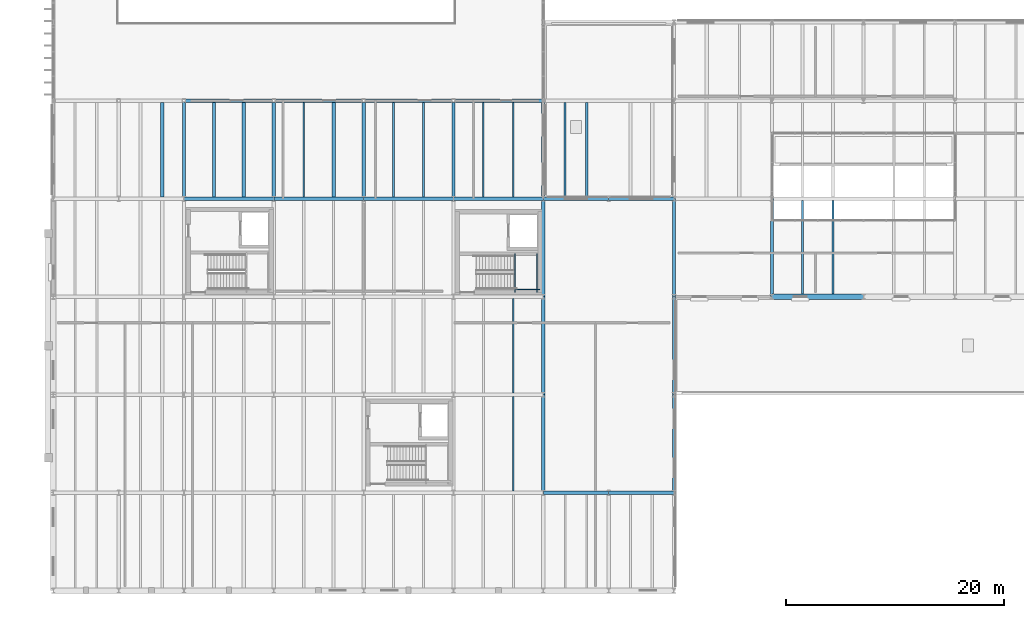
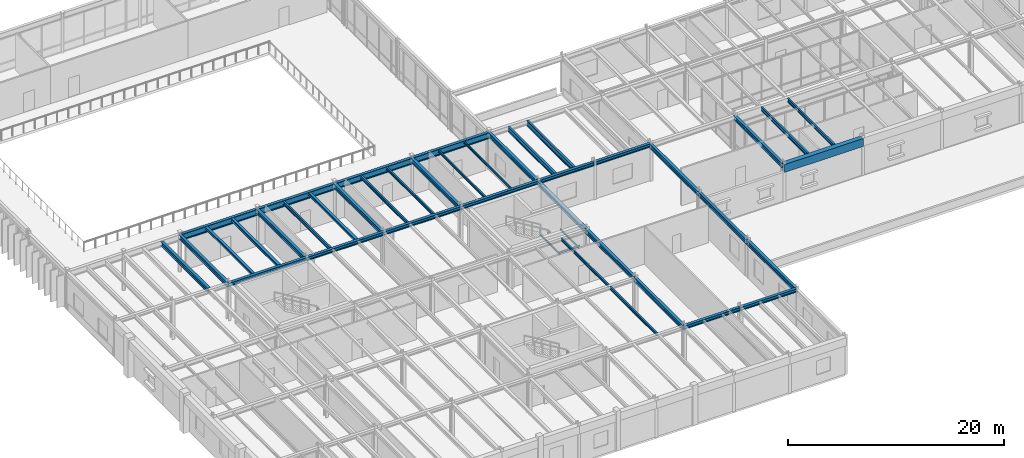
# One storey, part 21 of 64: 43 beams.
"""IFC4 building model written with IfcOpenShell, lengths in metres."""

from ifc_helpers import new_model, si_unit, direction, frame, origin, origin_2d, place, context, subcontext, project, spatial, rectangle, i_section, extrude, material, material_profile, profile_set, type_object, element, save


model = new_model("IFC4")

# Units and contexts
model_context = context("Model", 3, precision=1e-05, world=origin(), true_north=direction((0.0, 1.0)))
body_context = subcontext(model_context, "Body", "Model", "MODEL_VIEW")
ifc_project = project(units=[si_unit("LENGTHUNIT", "METRE"), si_unit("AREAUNIT", "SQUARE_METRE"), si_unit("VOLUMEUNIT", "CUBIC_METRE"), si_unit("PLANEANGLEUNIT", "RADIAN"), si_unit("MASSUNIT", "GRAM", prefix="KILO")], contexts=[model_context])

# Site, building, storey
site_placement = place(None, origin())
site = spatial("IfcSite", under=ifc_project, at=site_placement, CompositionType="ELEMENT")
building_placement = place(site_placement, origin())
building = spatial("IfcBuilding", under=site, at=building_placement, Name="Montealbar Specialist Clinic", CompositionType="ELEMENT")
storey_placement = place(building_placement, frame((0.0, 0.0, 5.10009765625)))
storey = spatial("IfcBuildingStorey", under=building, at=storey_placement, Name="L01", CompositionType="ELEMENT", Elevation=5.10009765625)

# Beams
ifc_material_1 = material(Name="Precast concrete C40/50", Category="concrete")
ifc_material_profile_1 = material_profile(ifc_material_1, rectangle(XDim=0.5, YDim=0.89990234375, at=origin_2d()), Name="PRECAST CORNICE 500x900", Category="concrete")
ifc_profile_set_1 = profile_set([ifc_material_profile_1], Name="Precast concrete C40/50")
beam_type_1 = type_object("IfcBeamType", Name="BM-CORNICE-PM900-EXT", PredefinedType="SPANDREL", material=ifc_profile_set_1)
beam_1_placement = place(storey_placement, frame((120.0, 27.0, 3.72998046875), z_axis=(1.0, 0.0, 0.0), x_axis=(0.0, 1.0, 0.0)))
element("IfcBeam", 1, at=beam_1_placement, inside=storey, type_object=beam_type_1, Name="Postmodern Entablature Cornice L01 Y=27.0 X=120.0-128.4", PredefinedType="SPANDREL", context=body_context, shape_type="SweptSolid", body=[
    extrude(rectangle(XDim=0.5, YDim=0.89990234375, at=origin_2d()), origin(), (0.0, 0.0, 1.0), 8.39990234375),
])
ifc_material_2 = material(Name="Steel S355", Category="steel")
ifc_material_profile_2 = material_profile(ifc_material_2, i_section(OverallWidth=0.300048828125, OverallDepth=0.39990234375, WebThickness=0.013427734375, FlangeThickness=0.02392578125, FilletRadius=0.027099609375, at=origin_2d()), Name="HEB 400", Category="steel")
ifc_profile_set_2 = profile_set([ifc_material_profile_2], Name="Steel S355")
beam_type_2 = type_object("IfcBeamType", Name="BM-GIRD-HEB400", PredefinedType="BEAM", material=ifc_profile_set_2)
for number, where, z_axis, x_axis, name in (
    (2, (99.0, 9.0, 3.97998046875), (1.0, 0.0, 0.0), (0.0, 1.0, 0.0), "Beam GX-L01-990-1050-90"),
    (3, (105.0, 9.0, 3.97998046875), (1.0, 0.0, 0.0), (0.0, 1.0, 0.0), "Beam GX-L01-1050-1110-90"),
):
    element("IfcBeam", number, at=place(storey_placement, frame(where, z_axis=z_axis, x_axis=x_axis)), inside=storey, type_object=beam_type_2, Name=name, PredefinedType="BEAM", context=body_context, shape_type="SweptSolid", body=[
        extrude(i_section(OverallWidth=0.300048828125, OverallDepth=0.39990234375, WebThickness=0.013427734375, FlangeThickness=0.02392578125, FilletRadius=0.027099609375, at=origin_2d()), origin(), (0.0, 0.0, 1.0), 6.0),
    ])
for number, where, z_axis, x_axis, name in (
    (4, (66.0, 36.0, 3.97998046875), (1.0, 0.0, 0.0), (0.0, 1.0, 0.0), "Beam GX-L01-660-742-360"),
    (5, (74.25, 36.0, 3.97998046875), (1.0, 0.0, 0.0), (0.0, 1.0, 0.0), "Beam GX-L01-742-825-360"),
    (6, (82.5, 36.0, 3.97998046875), (1.0, 0.0, 0.0), (0.0, 1.0, 0.0), "Beam GX-L01-825-908-360"),
    (7, (90.75, 36.0, 3.97998046875), (1.0, 0.0, 0.0), (0.0, 1.0, 0.0), "Beam GX-L01-908-990-360"),
):
    element("IfcBeam", number, at=place(storey_placement, frame(where, z_axis=z_axis, x_axis=x_axis)), inside=storey, type_object=beam_type_2, Name=name, PredefinedType="BEAM", context=body_context, shape_type="SweptSolid", body=[
        extrude(i_section(OverallWidth=0.300048828125, OverallDepth=0.39990234375, WebThickness=0.013427734375, FlangeThickness=0.02392578125, FilletRadius=0.027099609375, at=origin_2d()), origin(), (0.0, 0.0, 1.0), 8.25),
    ])
for number, where, z_axis, x_axis, name in (
    (8, (99.0, 36.0, 3.97998046875), (1.0, 0.0, 0.0), (0.0, 1.0, 0.0), "Beam GX-L01-990-1050-360"),
    (9, (105.0, 36.0, 3.97998046875), (1.0, 0.0, 0.0), (0.0, 1.0, 0.0), "Beam GX-L01-1050-1110-360"),
):
    element("IfcBeam", number, at=place(storey_placement, frame(where, z_axis=z_axis, x_axis=x_axis)), inside=storey, type_object=beam_type_2, Name=name, PredefinedType="BEAM", context=body_context, shape_type="SweptSolid", body=[
        extrude(i_section(OverallWidth=0.300048828125, OverallDepth=0.39990234375, WebThickness=0.013427734375, FlangeThickness=0.02392578125, FilletRadius=0.027099609375, at=origin_2d()), origin(), (0.0, 0.0, 1.0), 6.0),
    ])
ifc_material_profile_3 = material_profile(ifc_material_2, i_section(OverallWidth=0.300048828125, OverallDepth=0.5, WebThickness=0.014404296875, FlangeThickness=0.028076171875, FilletRadius=0.027099609375, at=origin_2d()), Name="HEB 500", Category="steel")
ifc_profile_set_3 = profile_set([ifc_material_profile_3], Name="Steel S355")
beam_type_3 = type_object("IfcBeamType", Name="BM-GIRD-HEB500", PredefinedType="BEAM", material=ifc_profile_set_3)
for number, where, z_axis, x_axis, name in (
    (10, (66.0, 36.0, 3.929931640625), (0.0, 1.0, 0.0), (-1.0, 0.0, 0.0), "Beam GY-L01-660-360-450"),
    (11, (74.25, 36.0, 3.929931640625), (0.0, 1.0, 0.0), (-1.0, 0.0, 0.0), "Beam GY-L01-742-360-450"),
    (12, (82.5, 36.0, 3.929931640625), (0.0, 1.0, 0.0), (-1.0, 0.0, 0.0), "Beam GY-L01-825-360-450"),
    (13, (90.75, 36.0, 3.929931640625), (0.0, 1.0, 0.0), (-1.0, 0.0, 0.0), "Beam GY-L01-908-360-450"),
    (14, (99.0, 9.0, 3.929931640625), (0.0, 1.0, 0.0), (-1.0, 0.0, 0.0), "Beam GY-L01-990-90-180"),
    (15, (99.0, 18.0, 3.929931640625), (0.0, 1.0, 0.0), (-1.0, 0.0, 0.0), "Beam GY-L01-990-180-270"),
    (16, (99.0, 27.0, 3.929931640625), (0.0, 1.0, 0.0), (-1.0, 0.0, 0.0), "Beam GY-L01-990-270-360"),
    (17, (99.0, 36.0, 3.929931640625), (0.0, 1.0, 0.0), (-1.0, 0.0, 0.0), "Beam GY-L01-990-360-450"),
    (18, (111.0, 9.0, 3.929931640625), (0.0, 1.0, 0.0), (-1.0, 0.0, 0.0), "Beam GY-L01-1110-90-180"),
    (19, (111.0, 18.0, 3.929931640625), (0.0, 1.0, 0.0), (-1.0, 0.0, 0.0), "Beam GY-L01-1110-180-270"),
    (20, (111.0, 27.0, 3.929931640625), (0.0, 1.0, 0.0), (-1.0, 0.0, 0.0), "Beam GY-L01-1110-270-360"),
):
    element("IfcBeam", number, at=place(storey_placement, frame(where, z_axis=z_axis, x_axis=x_axis)), inside=storey, type_object=beam_type_3, Name=name, PredefinedType="BEAM", context=body_context, shape_type="SweptSolid", body=[
        extrude(i_section(OverallWidth=0.300048828125, OverallDepth=0.5, WebThickness=0.014404296875, FlangeThickness=0.028076171875, FilletRadius=0.027099609375, at=origin_2d()), origin(), (0.0, 0.0, 1.0), 9.0),
    ])
ifc_material_profile_4 = material_profile(ifc_material_2, i_section(OverallWidth=0.300048828125, OverallDepth=0.5, WebThickness=0.014404296875, FlangeThickness=0.028076171875, FilletRadius=0.027099609375, at=origin_2d()), Name="HEB 500", Category="steel")
ifc_profile_set_4 = profile_set([ifc_material_profile_4], Name="Steel S355")
beam_type_4 = type_object("IfcBeamType", Name="BM-GIRD-HEB500-EXT", PredefinedType="BEAM", material=ifc_profile_set_4)
beam_2_placement = place(storey_placement, frame((120.0, 27.0, 3.929931640625), z_axis=(0.0, 1.0, 0.0), x_axis=(-1.0, 0.0, 0.0)))
element("IfcBeam", 21, at=beam_2_placement, inside=storey, type_object=beam_type_4, Name="Beam GY-L01-1200-270-360", PredefinedType="BEAM", context=body_context, shape_type="SweptSolid", body=[
    extrude(i_section(OverallWidth=0.300048828125, OverallDepth=0.5, WebThickness=0.014404296875, FlangeThickness=0.028076171875, FilletRadius=0.027099609375, at=origin_2d()), origin(), (0.0, 0.0, 1.0), 9.0),
])
ifc_material_profile_5 = material_profile(ifc_material_2, i_section(OverallWidth=0.300048828125, OverallDepth=0.489990234375, WebThickness=0.011962890625, FlangeThickness=0.02294921875, FilletRadius=0.027099609375, at=origin_2d()), Name="HEA 500", Category="steel")
ifc_profile_set_5 = profile_set([ifc_material_profile_5], Name="Steel S355")
beam_type_5 = type_object("IfcBeamType", Name="BM-JST-HEA500", PredefinedType="JOIST", material=ifc_profile_set_5)
beam_3_placement = place(storey_placement, frame((64.0, 36.14990234375, 3.934814453125), z_axis=(0.0, 1.0, 0.0), x_axis=(-1.0, 0.0, 0.0)))
element("IfcBeam", 22, at=beam_3_placement, inside=storey, type_object=beam_type_5, Name="Beam JST-L01-640-362-448", PredefinedType="JOIST", context=body_context, shape_type="SweptSolid", body=[
    extrude(i_section(OverallWidth=0.300048828125, OverallDepth=0.489990234375, WebThickness=0.011962890625, FlangeThickness=0.02294921875, FilletRadius=0.027099609375, at=origin_2d()), origin(), (0.0, 0.0, 1.0), 8.7001953125),
])
ifc_material_profile_6 = material_profile(ifc_material_2, i_section(OverallWidth=0.280029296875, OverallDepth=0.280029296875, WebThickness=0.010498046875, FlangeThickness=0.01806640625, FilletRadius=0.02392578125, at=origin_2d()), Name="HEB 280", Category="steel")
ifc_profile_set_6 = profile_set([ifc_material_profile_6], Name="Steel S355")
beam_type_6 = type_object("IfcBeamType", Name="BM-JST-HEB280", PredefinedType="JOIST", material=ifc_profile_set_6)
beam_4_placement = place(storey_placement, frame((68.75, 36.14990234375, 4.039794921875), z_axis=(0.0, 1.0, 0.0), x_axis=(-1.0, 0.0, 0.0)))
element("IfcBeam", 23, at=beam_4_placement, inside=storey, type_object=beam_type_6, Name="Beam JST-L01-688-362-448", PredefinedType="JOIST", context=body_context, shape_type="SweptSolid", body=[
    extrude(i_section(OverallWidth=0.280029296875, OverallDepth=0.280029296875, WebThickness=0.010498046875, FlangeThickness=0.01806640625, FilletRadius=0.02392578125, at=origin_2d()), origin(), (0.0, 0.0, 1.0), 8.7001953125),
])
ifc_material_profile_7 = material_profile(ifc_material_2, i_section(OverallWidth=0.300048828125, OverallDepth=0.320068359375, WebThickness=0.011474609375, FlangeThickness=0.0205078125, FilletRadius=0.027099609375, at=origin_2d()), Name="HEB 320", Category="steel")
ifc_profile_set_7 = profile_set([ifc_material_profile_7], Name="Steel S355")
beam_type_7 = type_object("IfcBeamType", Name="BM-JST-HEB320", PredefinedType="JOIST", material=ifc_profile_set_7)
beam_5_placement = place(storey_placement, frame((71.5, 36.14990234375, 4.02001953125), z_axis=(0.0, 1.0, 0.0), x_axis=(-1.0, 0.0, 0.0)))
element("IfcBeam", 24, at=beam_5_placement, inside=storey, type_object=beam_type_7, Name="Beam JST-L01-715-362-448", PredefinedType="JOIST", context=body_context, shape_type="SweptSolid", body=[
    extrude(i_section(OverallWidth=0.300048828125, OverallDepth=0.320068359375, WebThickness=0.011474609375, FlangeThickness=0.0205078125, FilletRadius=0.027099609375, at=origin_2d()), origin(), (0.0, 0.0, 1.0), 8.7001953125),
])
ifc_material_profile_8 = material_profile(ifc_material_2, i_section(OverallWidth=0.1201171875, OverallDepth=0.239990234375, WebThickness=0.006103515625, FlangeThickness=0.009765625, FilletRadius=0.014892578125, at=origin_2d()), Name="IPE 240", Category="steel")
ifc_profile_set_8 = profile_set([ifc_material_profile_8], Name="Steel S355")
beam_type_8 = type_object("IfcBeamType", Name="BM-JST-IPE240", PredefinedType="JOIST", material=ifc_profile_set_8)
beam_6_placement = place(storey_placement, frame((96.25, 36.14990234375, 4.059814453125), z_axis=(0.0, 1.0, 0.0), x_axis=(-1.0, 0.0, 0.0)))
element("IfcBeam", 25, at=beam_6_placement, inside=storey, type_object=beam_type_8, Name="Beam JST-L01-962-362-448", PredefinedType="JOIST", context=body_context, shape_type="SweptSolid", body=[
    extrude(i_section(OverallWidth=0.1201171875, OverallDepth=0.239990234375, WebThickness=0.006103515625, FlangeThickness=0.009765625, FilletRadius=0.014892578125, at=origin_2d()), origin(), (0.0, 0.0, 1.0), 8.7001953125),
])
ifc_material_profile_9 = material_profile(ifc_material_2, i_section(OverallWidth=0.135009765625, OverallDepth=0.27001953125, WebThickness=0.006591796875, FlangeThickness=0.01025390625, FilletRadius=0.014892578125, at=origin_2d()), Name="IPE 270", Category="steel")
ifc_profile_set_9 = profile_set([ifc_material_profile_9], Name="Steel S355")
beam_type_9 = type_object("IfcBeamType", Name="BM-JST-IPE270", PredefinedType="JOIST", material=ifc_profile_set_9)
beam_7_placement = place(storey_placement, frame((93.5, 36.14990234375, 4.044921875), z_axis=(0.0, 1.0, 0.0), x_axis=(-1.0, 0.0, 0.0)))
element("IfcBeam", 26, at=beam_7_placement, inside=storey, type_object=beam_type_9, Name="Beam JST-L01-935-362-448", PredefinedType="JOIST", context=body_context, shape_type="SweptSolid", body=[
    extrude(i_section(OverallWidth=0.135009765625, OverallDepth=0.27001953125, WebThickness=0.006591796875, FlangeThickness=0.01025390625, FilletRadius=0.014892578125, at=origin_2d()), origin(), (0.0, 0.0, 1.0), 8.7001953125),
])
ifc_material_profile_10 = material_profile(ifc_material_2, i_section(OverallWidth=0.14990234375, OverallDepth=0.300048828125, WebThickness=0.007080078125, FlangeThickness=0.0107421875, FilletRadius=0.014892578125, at=origin_2d()), Name="IPE 300", Category="steel")
ifc_profile_set_10 = profile_set([ifc_material_profile_10], Name="Steel S355")
beam_type_10 = type_object("IfcBeamType", Name="BM-JST-IPE300", PredefinedType="JOIST", material=ifc_profile_set_10)
beam_8_placement = place(storey_placement, frame((96.25, 18.14990234375, 4.02978515625), z_axis=(0.0, 1.0, 0.0), x_axis=(-1.0, 0.0, 0.0)))
element("IfcBeam", 27, at=beam_8_placement, inside=storey, type_object=beam_type_10, Name="Beam JST-L01-962-182-268", PredefinedType="JOIST", context=body_context, shape_type="SweptSolid", body=[
    extrude(i_section(OverallWidth=0.14990234375, OverallDepth=0.300048828125, WebThickness=0.007080078125, FlangeThickness=0.0107421875, FilletRadius=0.014892578125, at=origin_2d()), origin(), (0.0, 0.0, 1.0), 8.7001953125),
])
ifc_material_profile_11 = material_profile(ifc_material_2, i_section(OverallWidth=0.159912109375, OverallDepth=0.330078125, WebThickness=0.007568359375, FlangeThickness=0.011474609375, FilletRadius=0.01806640625, at=origin_2d()), Name="IPE 330", Category="steel")
ifc_profile_set_11 = profile_set([ifc_material_profile_11], Name="Steel S355")
beam_type_11 = type_object("IfcBeamType", Name="BM-JST-IPE330", PredefinedType="JOIST", material=ifc_profile_set_11)
for number, where, z_axis, x_axis, name in (
    (28, (88.0, 36.14990234375, 4.014892578125), (0.0, 1.0, 0.0), (-1.0, 0.0, 0.0), "Beam JST-L01-880-362-448"),
    (29, (96.25, 9.14990234375, 4.014892578125), (0.0, 1.0, 0.0), (-1.0, 0.0, 0.0), "Beam JST-L01-962-92-178"),
):
    element("IfcBeam", number, at=place(storey_placement, frame(where, z_axis=z_axis, x_axis=x_axis)), inside=storey, type_object=beam_type_11, Name=name, PredefinedType="JOIST", context=body_context, shape_type="SweptSolid", body=[
        extrude(i_section(OverallWidth=0.159912109375, OverallDepth=0.330078125, WebThickness=0.007568359375, FlangeThickness=0.011474609375, FilletRadius=0.01806640625, at=origin_2d()), origin(), (0.0, 0.0, 1.0), 8.7001953125),
    ])
ifc_material_profile_12 = material_profile(ifc_material_2, i_section(OverallWidth=0.169921875, OverallDepth=0.360107421875, WebThickness=0.008056640625, FlangeThickness=0.0126953125, FilletRadius=0.01806640625, at=origin_2d()), Name="IPE 360", Category="steel")
ifc_profile_set_12 = profile_set([ifc_material_profile_12], Name="Steel S355")
beam_type_12 = type_object("IfcBeamType", Name="BM-JST-IPE360", PredefinedType="JOIST", material=ifc_profile_set_12)
beam_9_placement = place(storey_placement, frame((85.25, 36.14990234375, 4.0), z_axis=(0.0, 1.0, 0.0), x_axis=(-1.0, 0.0, 0.0)))
element("IfcBeam", 30, at=beam_9_placement, inside=storey, type_object=beam_type_12, Name="Beam JST-L01-852-362-448", PredefinedType="JOIST", context=body_context, shape_type="SweptSolid", body=[
    extrude(i_section(OverallWidth=0.169921875, OverallDepth=0.360107421875, WebThickness=0.008056640625, FlangeThickness=0.0126953125, FilletRadius=0.01806640625, at=origin_2d()), origin(), (0.0, 0.0, 1.0), 8.7001953125),
])
ifc_material_profile_13 = material_profile(ifc_material_2, i_section(OverallWidth=0.2099609375, OverallDepth=0.550048828125, WebThickness=0.010986328125, FlangeThickness=0.01708984375, FilletRadius=0.02392578125, at=origin_2d()), Name="IPE 550", Category="steel")
ifc_profile_set_13 = profile_set([ifc_material_profile_13], Name="Steel S355")
beam_type_13 = type_object("IfcBeamType", Name="BM-JST-IPE550", PredefinedType="JOIST", material=ifc_profile_set_13)
beam_10_placement = place(storey_placement, frame((101.0, 36.14990234375, 3.90478515625), z_axis=(0.0, 1.0, 0.0), x_axis=(-1.0, 0.0, 0.0)))
element("IfcBeam", 31, at=beam_10_placement, inside=storey, type_object=beam_type_13, Name="Beam JST-L01-1010-362-448", PredefinedType="JOIST", context=body_context, shape_type="SweptSolid", body=[
    extrude(i_section(OverallWidth=0.2099609375, OverallDepth=0.550048828125, WebThickness=0.010986328125, FlangeThickness=0.01708984375, FilletRadius=0.02392578125, at=origin_2d()), origin(), (0.0, 0.0, 1.0), 8.7001953125),
])
ifc_material_profile_14 = material_profile(ifc_material_2, i_section(OverallWidth=0.219970703125, OverallDepth=0.60009765625, WebThickness=0.011962890625, FlangeThickness=0.01904296875, FilletRadius=0.02392578125, at=origin_2d()), Name="IPE 600", Category="steel")
ifc_profile_set_14 = profile_set([ifc_material_profile_14], Name="Steel S355")
beam_type_14 = type_object("IfcBeamType", Name="BM-JST-IPE600", PredefinedType="JOIST", material=ifc_profile_set_14)
beam_11_placement = place(storey_placement, frame((103.0, 36.14990234375, 3.8798828125), z_axis=(0.0, 1.0, 0.0), x_axis=(-1.0, 0.0, 0.0)))
element("IfcBeam", 32, at=beam_11_placement, inside=storey, type_object=beam_type_14, Name="Beam JST-L01-1030-362-448", PredefinedType="JOIST", context=body_context, shape_type="SweptSolid", body=[
    extrude(i_section(OverallWidth=0.219970703125, OverallDepth=0.60009765625, WebThickness=0.011962890625, FlangeThickness=0.01904296875, FilletRadius=0.02392578125, at=origin_2d()), origin(), (0.0, 0.0, 1.0), 8.7001953125),
])
ifc_material_profile_15 = material_profile(ifc_material_2, i_section(OverallWidth=0.10009765625, OverallDepth=0.199951171875, WebThickness=0.005615234375, FlangeThickness=0.008544921875, FilletRadius=0.011962890625, at=origin_2d()), Name="IPE 200", Category="steel")
ifc_profile_set_15 = profile_set([ifc_material_profile_15], Name="Steel S355")
beam_type_15 = type_object("IfcBeamType", Name="BM-LINT-IPE200", PredefinedType="LINTEL", material=ifc_profile_set_15)
for number, where, z_axis, x_axis, name in (
    (33, (96.389892578125, 27.39990234375, 1.949951171875), (0.0, 1.0, 0.0), (-1.0, 0.0, 0.0), "Core C5 Stair Landing Beam L01 W"),
    (34, (98.429931640625, 27.39990234375, 1.949951171875), (0.0, 1.0, 0.0), (-1.0, 0.0, 0.0), "Core C5 Stair Landing Beam L01 E"),
):
    element("IfcBeam", number, at=place(storey_placement, frame(where, z_axis=z_axis, x_axis=x_axis)), inside=storey, type_object=beam_type_15, Name=name, PredefinedType="LINTEL", context=body_context, shape_type="SweptSolid", body=[
        extrude(i_section(OverallWidth=0.10009765625, OverallDepth=0.199951171875, WebThickness=0.005615234375, FlangeThickness=0.008544921875, FilletRadius=0.011962890625, at=origin_2d()), origin(), (0.0, 0.0, 1.0), 3.550048828125),
    ])
beam_12_placement = place(storey_placement, frame((96.389892578125, 27.64990234375, 1.949951171875), z_axis=(1.0, 0.0, 0.0), x_axis=(0.0, 1.0, 0.0)))
element("IfcBeam", 35, at=beam_12_placement, inside=storey, type_object=beam_type_15, Name="Core C5 Stair Landing Tie Beam L01", PredefinedType="LINTEL", context=body_context, shape_type="SweptSolid", body=[
    extrude(i_section(OverallWidth=0.10009765625, OverallDepth=0.199951171875, WebThickness=0.005615234375, FlangeThickness=0.008544921875, FilletRadius=0.011962890625, at=origin_2d()), origin(), (0.0, 0.0, 1.0), 2.31005859375),
])
ifc_material_profile_16 = material_profile(ifc_material_2, i_section(OverallWidth=0.300048828125, OverallDepth=0.699951171875, WebThickness=0.01708984375, FlangeThickness=0.031982421875, FilletRadius=0.027099609375, at=origin_2d()), Name="HEB 700", Category="steel")
ifc_profile_set_16 = profile_set([ifc_material_profile_16], Name="Steel S355")
beam_type_16 = type_object("IfcBeamType", Name="BM-RING-HEB700-EXT", PredefinedType="BEAM", material=ifc_profile_set_16)
for number, where, z_axis, x_axis, name in (
    (36, (66.0, 45.0, 3.829833984375), (1.0, 0.0, 0.0), (0.0, 1.0, 0.0), "Gridshell perimeter ring beam RB-01 X 66.0-74.2"),
    (37, (74.25, 45.0, 3.829833984375), (1.0, 0.0, 0.0), (0.0, 1.0, 0.0), "Gridshell perimeter ring beam RB-01 X 74.2-82.5"),
    (38, (82.5, 45.0, 3.829833984375), (1.0, 0.0, 0.0), (0.0, 1.0, 0.0), "Gridshell perimeter ring beam RB-01 X 82.5-90.8"),
    (39, (90.75, 45.0, 3.829833984375), (1.0, 0.0, 0.0), (0.0, 1.0, 0.0), "Gridshell perimeter ring beam RB-01 X 90.8-99.0"),
):
    element("IfcBeam", number, at=place(storey_placement, frame(where, z_axis=z_axis, x_axis=x_axis)), inside=storey, type_object=beam_type_16, Name=name, PredefinedType="BEAM", context=body_context, shape_type="SweptSolid", body=[
        extrude(i_section(OverallWidth=0.300048828125, OverallDepth=0.699951171875, WebThickness=0.01708984375, FlangeThickness=0.031982421875, FilletRadius=0.027099609375, at=origin_2d()), origin(), (0.0, 0.0, 1.0), 8.25),
    ])
ifc_material_profile_17 = material_profile(ifc_material_2, i_section(OverallWidth=0.179931640625, OverallDepth=0.39990234375, WebThickness=0.008544921875, FlangeThickness=0.013427734375, FilletRadius=0.02099609375, at=origin_2d()), Name="IPE 400", Category="steel")
ifc_profile_set_17 = profile_set([ifc_material_profile_17], Name="Steel S355")
beam_type_17 = type_object("IfcBeamType", Name="BM-SEC-IPE400", PredefinedType="BEAM", material=ifc_profile_set_17)
beam_13_placement = place(storey_placement, frame((77.0, 36.14990234375, 3.97998046875), z_axis=(0.0, 1.0, 0.0), x_axis=(-1.0, 0.0, 0.0)))
element("IfcBeam", 40, at=beam_13_placement, inside=storey, type_object=beam_type_17, Name="Beam JST-L01-770-362-448", PredefinedType="BEAM", context=body_context, shape_type="SweptSolid", body=[
    extrude(i_section(OverallWidth=0.179931640625, OverallDepth=0.39990234375, WebThickness=0.008544921875, FlangeThickness=0.013427734375, FilletRadius=0.02099609375, at=origin_2d()), origin(), (0.0, 0.0, 1.0), 8.7001953125),
])
beam_14_placement = place(storey_placement, frame((125.60009765625, 27.25, 4.02978515625), z_axis=(0.0, 1.0, 0.0), x_axis=(-1.0, 0.0, 0.0)))
element("IfcBeam", 41, at=beam_14_placement, inside=storey, type_object=beam_type_17, Name="Beam JST-L01-1256-272-358", PredefinedType="BEAM", context=body_context, shape_type="SweptSolid", body=[
    extrude(i_section(OverallWidth=0.179931640625, OverallDepth=0.39990234375, WebThickness=0.008544921875, FlangeThickness=0.013427734375, FilletRadius=0.02099609375, at=origin_2d()), origin(), (0.0, 0.0, 1.0), 8.60009765625),
])
ifc_material_profile_18 = material_profile(ifc_material_2, i_section(OverallWidth=0.18994140625, OverallDepth=0.449951171875, WebThickness=0.009521484375, FlangeThickness=0.0146484375, FilletRadius=0.02099609375, at=origin_2d()), Name="IPE 450", Category="steel")
ifc_profile_set_18 = profile_set([ifc_material_profile_18], Name="Steel S355")
beam_type_18 = type_object("IfcBeamType", Name="BM-SEC-IPE450", PredefinedType="BEAM", material=ifc_profile_set_18)
beam_15_placement = place(storey_placement, frame((122.800048828125, 27.25, 4.0048828125), z_axis=(0.0, 1.0, 0.0), x_axis=(-1.0, 0.0, 0.0)))
element("IfcBeam", 42, at=beam_15_placement, inside=storey, type_object=beam_type_18, Name="Beam JST-L01-1228-272-358", PredefinedType="BEAM", context=body_context, shape_type="SweptSolid", body=[
    extrude(i_section(OverallWidth=0.18994140625, OverallDepth=0.449951171875, WebThickness=0.009521484375, FlangeThickness=0.0146484375, FilletRadius=0.02099609375, at=origin_2d()), origin(), (0.0, 0.0, 1.0), 8.60009765625),
])
ifc_material_profile_19 = material_profile(ifc_material_2, i_section(OverallWidth=0.300048828125, OverallDepth=0.2900390625, WebThickness=0.008544921875, FlangeThickness=0.013916015625, FilletRadius=0.027099609375, at=origin_2d()), Name="HEA 300", Category="steel")
ifc_profile_set_19 = profile_set([ifc_material_profile_19], Name="Steel S355")
beam_type_19 = type_object("IfcBeamType", Name="BM-SPAND-HEA300", PredefinedType="SPANDREL", material=ifc_profile_set_19)
beam_16_placement = place(storey_placement, frame((79.75, 36.14990234375, 4.034912109375), z_axis=(0.0, 1.0, 0.0), x_axis=(-1.0, 0.0, 0.0)))
element("IfcBeam", 43, at=beam_16_placement, inside=storey, type_object=beam_type_19, Name="Beam JST-L01-798-362-448", PredefinedType="SPANDREL", context=body_context, shape_type="SweptSolid", body=[
    extrude(i_section(OverallWidth=0.300048828125, OverallDepth=0.2900390625, WebThickness=0.008544921875, FlangeThickness=0.013916015625, FilletRadius=0.027099609375, at=origin_2d()), origin(), (0.0, 0.0, 1.0), 8.7001953125),
])

save(model, "model.ifc")
